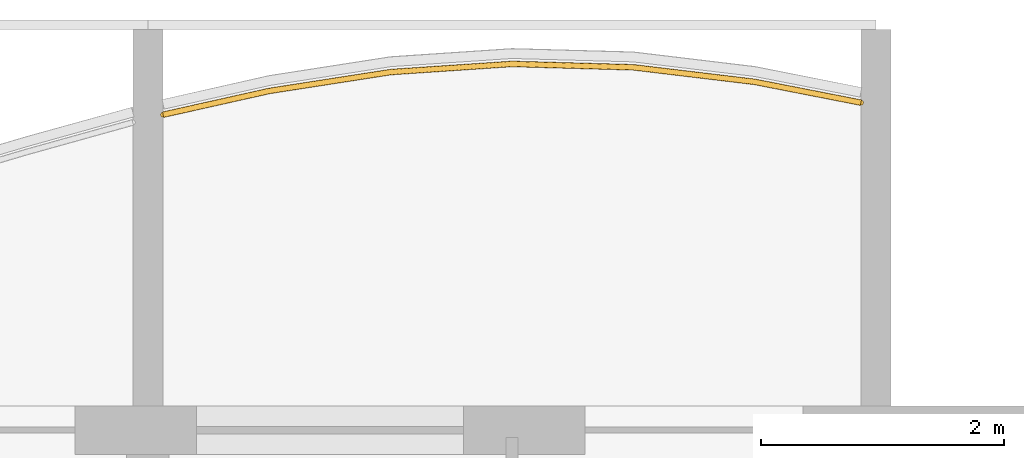
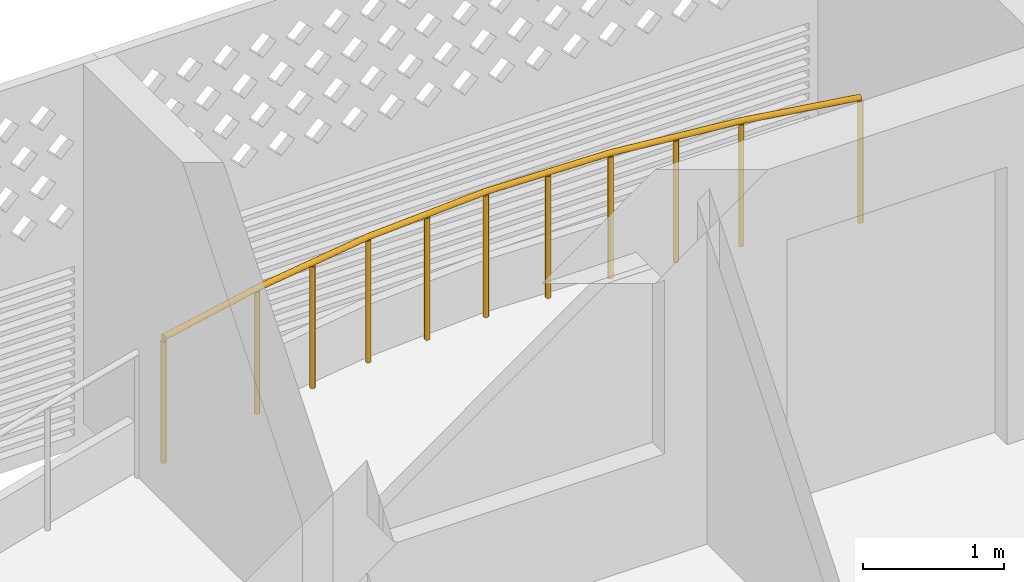
# One storey, part 29 of 30: 1 railing.
"""IFC4 building model written with IfcOpenShell, lengths in metres."""

from ifc_helpers import new_model, si_unit, direction, frame, origin, origin_2d, place, context, subcontext, project, spatial, circle, extrude, material, type_object, element, save


model = new_model("IFC4")

# Units and contexts
model_context = context("Model", 3, precision=1e-05, world=origin(), true_north=direction((0.0, 1.0)))
body_context = subcontext(model_context, "Body", "Model", "MODEL_VIEW")
ifc_project = project(units=[si_unit("LENGTHUNIT", "METRE"), si_unit("AREAUNIT", "SQUARE_METRE"), si_unit("VOLUMEUNIT", "CUBIC_METRE"), si_unit("PLANEANGLEUNIT", "RADIAN"), si_unit("MASSUNIT", "GRAM", prefix="KILO")], contexts=[model_context])

# Site, building, storey
site_placement = place(None, origin())
site = spatial("IfcSite", under=ifc_project, at=site_placement, CompositionType="ELEMENT")
building_placement = place(site_placement, origin())
building = spatial("IfcBuilding", under=site, at=building_placement, Name="Poui Terraces", CompositionType="ELEMENT")
storey_placement = place(building_placement, frame((0.0, 0.0, 99.300048828125)))
storey = spatial("IfcBuildingStorey", under=building, at=storey_placement, Name="L27", CompositionType="ELEMENT", Elevation=99.300048828125)

# Railing
ifc_material = material(Name="Painted steel fretwork", Category="steel")
railing_type = type_object("IfcRailingType", Name="BALCONY GUARD 1100", PredefinedType="GUARDRAIL", material=ifc_material)
railing_placement = place(storey_placement, frame((84.125, 46.19970703125, 0.0)))
element("IfcRailing", 1, at=railing_placement, inside=storey, type_object=railing_type, Name="BALCONY GUARD", PredefinedType="GUARDRAIL", context=body_context, shape_type="SweptSolid", body=[
    extrude(circle(Radius=0.02392578125, at=origin_2d()), frame((0.0, 0.0, 1.076171875), z_axis=(0.975865661819, 0.218371724548, 0.0), x_axis=(-0.218371724548, 0.975865661819, 0.0)), (0.0, 0.0, 1.0), 0.896728515625),
    extrude(circle(Radius=0.02392578125, at=origin_2d()), frame((0.875, 0.19580078125, 1.076171875), z_axis=(0.9881587723, 0.153434809371, 0.0), x_axis=(-0.153434809371, 0.9881587723, 0.0)), (0.0, 0.0, 1.0), 1.011962890625),
    extrude(circle(Radius=0.02392578125, at=origin_2d()), frame((1.875, 0.35107421875, 1.076171875), z_axis=(0.997753790287, 0.066987864338, 0.0), x_axis=(-0.066987864338, 0.997753790287, 0.0)), (0.0, 0.0, 1.0), 1.002197265625),
    extrude(circle(Radius=0.02392578125, at=origin_2d()), frame((2.875, 0.418212890625, 1.076171875), z_axis=(0.999612913888, -0.027821257857, 0.0), x_axis=(0.027821257857, 0.999612913888, 0.0)), (0.0, 0.0, 1.0), 1.00048828125),
    extrude(circle(Radius=0.02392578125, at=origin_2d()), frame((3.875, 0.390380859375, 1.076171875), z_axis=(0.992891742073, -0.119020958339, 0.0), x_axis=(0.119020958339, 0.992891742073, 0.0)), (0.0, 0.0, 1.0), 1.007080078125),
    extrude(circle(Radius=0.02392578125, at=origin_2d()), frame((4.875, 0.2705078125, 1.076171875), z_axis=(0.981403870586, -0.191954272679, 0.0), x_axis=(0.191954272679, 0.981403870586, 0.0)), (0.0, 0.0, 1.0), 0.8916015625),
    extrude(circle(Radius=0.02099609375, at=origin_2d()), origin(), (0.0, 0.0, 1.0), 1.052001953125),
    extrude(circle(Radius=0.02099609375, at=origin_2d()), frame((0.875, 0.19580078125, 0.0)), (0.0, 0.0, 1.0), 1.052001953125),
    extrude(circle(Radius=0.02099609375, at=origin_2d()), frame((1.375, 0.2734375, 0.0)), (0.0, 0.0, 1.0), 1.052001953125),
    extrude(circle(Radius=0.02099609375, at=origin_2d()), frame((1.875, 0.35107421875, 0.0)), (0.0, 0.0, 1.0), 1.052001953125),
    extrude(circle(Radius=0.02099609375, at=origin_2d()), frame((2.375, 0.384765625, 0.0)), (0.0, 0.0, 1.0), 1.052001953125),
    extrude(circle(Radius=0.02099609375, at=origin_2d()), frame((2.875, 0.418212890625, 0.0)), (0.0, 0.0, 1.0), 1.052001953125),
    extrude(circle(Radius=0.02099609375, at=origin_2d()), frame((3.375, 0.404296875, 0.0)), (0.0, 0.0, 1.0), 1.052001953125),
    extrude(circle(Radius=0.02099609375, at=origin_2d()), frame((3.875, 0.390380859375, 0.0)), (0.0, 0.0, 1.0), 1.052001953125),
    extrude(circle(Radius=0.02099609375, at=origin_2d()), frame((4.375, 0.33056640625, 0.0)), (0.0, 0.0, 1.0), 1.052001953125),
    extrude(circle(Radius=0.02099609375, at=origin_2d()), frame((4.875, 0.2705078125, 0.0)), (0.0, 0.0, 1.0), 1.052001953125),
    extrude(circle(Radius=0.02099609375, at=origin_2d()), frame((5.75, 0.099365234375, 0.0)), (0.0, 0.0, 1.0), 1.052001953125),
])

save(model, "model.ifc")
